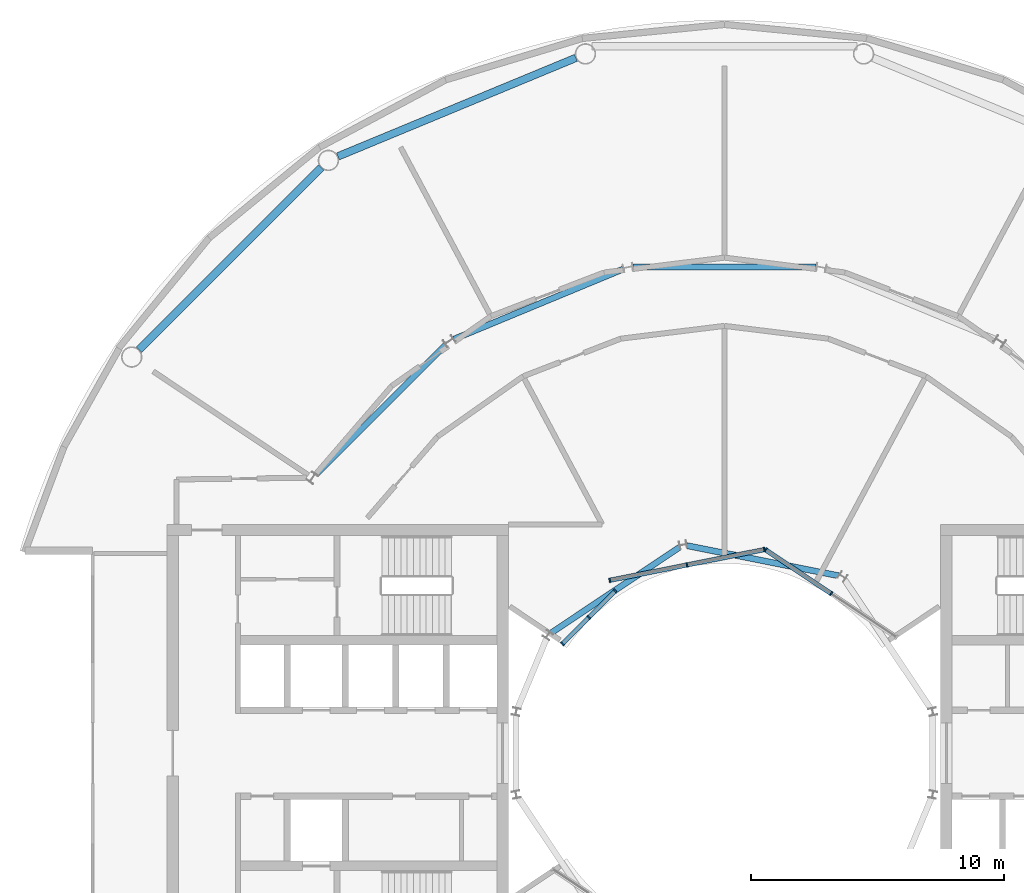
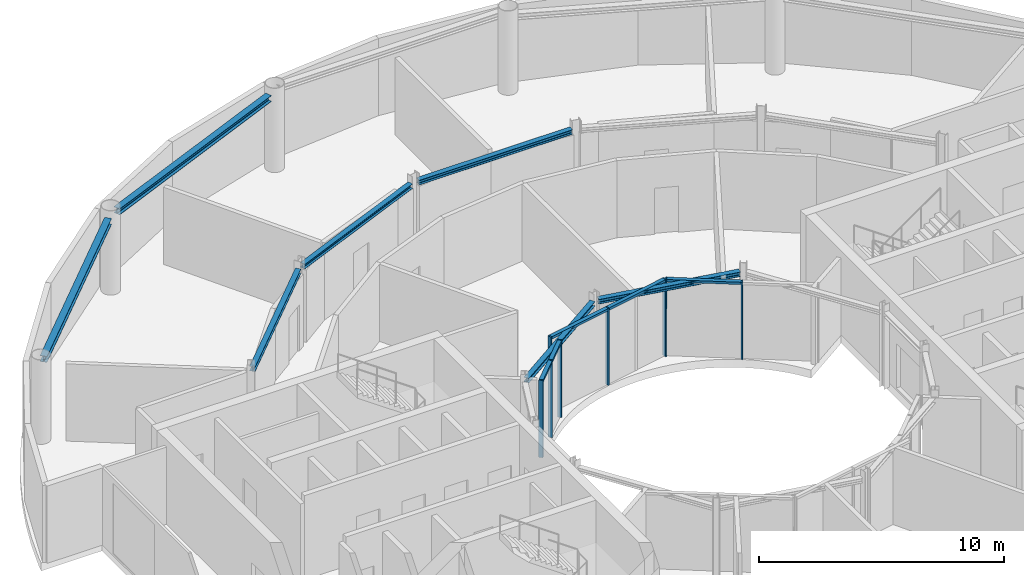
# One storey, part 9 of 19: 13 members, 7 beams, 3 elements without a shape of their own.
"""IFC4 building model written with IfcOpenShell, lengths in metres."""

from ifc_helpers import new_model, si_unit, direction, frame, origin, origin_2d, place, context, subcontext, project, spatial, rectangle, i_section, extrude, material, layer, layer_set, material_profile, profile_set, type_object, element, aggregate, save


model = new_model("IFC4")

# Units and contexts
model_context = context("Model", 3, precision=1e-05, world=origin(), true_north=direction((0.0, 1.0)))
body_context = subcontext(model_context, "Body", "Model", "MODEL_VIEW")
ifc_project = project(units=[si_unit("LENGTHUNIT", "METRE"), si_unit("AREAUNIT", "SQUARE_METRE"), si_unit("VOLUMEUNIT", "CUBIC_METRE"), si_unit("PLANEANGLEUNIT", "RADIAN"), si_unit("MASSUNIT", "GRAM", prefix="KILO")], contexts=[model_context])

# Site, building, storey
site_placement = place(None, origin())
site = spatial("IfcSite", under=ifc_project, at=site_placement, CompositionType="ELEMENT")
building_placement = place(site_placement, origin())
building = spatial("IfcBuilding", under=site, at=building_placement, Name="Maasbend Ring Residences", CompositionType="ELEMENT")
storey_placement = place(building_placement, frame((0.0, 0.0, 186.0)))
storey = spatial("IfcBuildingStorey", under=building, at=storey_placement, Name="L53", CompositionType="ELEMENT", Elevation=186.0)

# Curtain wall, members
ifc_material_1 = material(Name="Aluminium and clear glass", Category="aluminium")
ifc_layer = layer(ifc_material_1, 0.179931640625)
ifc_layer_set = layer_set([ifc_layer], Name="CW-W")
curtain_wall_type = type_object("IfcCurtainWallType", Name="CW-W", PredefinedType="NOTDEFINED", material=ifc_layer_set)
curtain_wall_1_placement = place(storey_placement, origin())
curtain_wall_1 = element("IfcCurtainWall", 1, at=curtain_wall_1_placement, inside=storey, type_object=curtain_wall_type, Name="Well curtain wall N1", PredefinedType="NOTDEFINED")
ifc_material_2 = material(Name="Aluminium 6063-T6", Category="aluminium")
ifc_material_profile_1 = material_profile(ifc_material_2, rectangle(XDim=0.179931640625, YDim=0.06005859375, at=origin_2d()), Name="AL 180x60")
ifc_profile_set_1 = profile_set([ifc_material_profile_1], Name="Aluminium 6063-T6")
member_type_1 = type_object("IfcMemberType", Name="CWM-W", PredefinedType="MULLION", material=ifc_profile_set_1)
member_1_placement = place(storey_placement, frame((4.216796875, 6.310791015625, 0.0), z_axis=(0.0, 0.0, 1.0), x_axis=(-0.55557023302, -0.831469612303, 0.0)))
member_1 = element("IfcMember", 2, at=member_1_placement, type_object=member_type_1, Name="Mullion well face", PredefinedType="MULLION", context=body_context, shape_type="SweptSolid", body=[
    extrude(rectangle(XDim=0.179931640625, YDim=0.06005859375, at=origin_2d()), origin(), (0.0, 0.0, 1.0), 3.85009765625),
])
member_2_placement = place(storey_placement, frame((1.627685546875, 8.040771484375, 0.0), z_axis=(0.0, 0.0, 1.0), x_axis=(-0.55557023302, -0.831469612303, 0.0)))
member_2 = element("IfcMember", 3, at=member_2_placement, type_object=member_type_1, Name="Mullion well face", PredefinedType="MULLION", context=body_context, shape_type="SweptSolid", body=[
    extrude(rectangle(XDim=0.179931640625, YDim=0.06005859375, at=origin_2d()), origin(), (0.0, 0.0, 1.0), 3.85009765625),
])

curtain_wall_2_placement = place(storey_placement, origin())
curtain_wall_2 = element("IfcCurtainWall", 4, at=curtain_wall_2_placement, inside=storey, type_object=curtain_wall_type, Name="Well curtain wall N2", PredefinedType="NOTDEFINED")
member_3_placement = place(storey_placement, frame((1.5732421875, 8.0517578125, 0.0), z_axis=(0.0, 0.0, 1.0), x_axis=(0.195090322016, -0.980785280403, 0.0)))
member_3 = element("IfcMember", 5, at=member_3_placement, type_object=member_type_1, Name="Mullion well face", PredefinedType="MULLION", context=body_context, shape_type="SweptSolid", body=[
    extrude(rectangle(XDim=0.179931640625, YDim=0.06005859375, at=origin_2d()), origin(), (0.0, 0.0, 1.0), 3.85009765625),
])
member_4_placement = place(storey_placement, frame((-1.480712890625, 7.444091796875, 0.0), z_axis=(0.0, 0.0, 1.0), x_axis=(0.195090322016, -0.980785280403, 0.0)))
member_4 = element("IfcMember", 6, at=member_4_placement, type_object=member_type_1, Name="Mullion well face", PredefinedType="MULLION", context=body_context, shape_type="SweptSolid", body=[
    extrude(rectangle(XDim=0.179931640625, YDim=0.06005859375, at=origin_2d()), origin(), (0.0, 0.0, 1.0), 3.85009765625),
])
member_5_placement = place(storey_placement, frame((-4.53466796875, 6.836669921875, 0.0), z_axis=(0.0, 0.0, 1.0), x_axis=(0.195090322016, -0.980785280403, 0.0)))
member_5 = element("IfcMember", 7, at=member_5_placement, type_object=member_type_1, Name="Mullion well face", PredefinedType="MULLION", context=body_context, shape_type="SweptSolid", body=[
    extrude(rectangle(XDim=0.179931640625, YDim=0.06005859375, at=origin_2d()), origin(), (0.0, 0.0, 1.0), 3.85009765625),
])

curtain_wall_3_placement = place(storey_placement, origin())
curtain_wall_3 = element("IfcCurtainWall", 8, at=curtain_wall_3_placement, inside=storey, type_object=curtain_wall_type, Name="Well curtain wall N3", PredefinedType="NOTDEFINED")
member_6_placement = place(storey_placement, frame((-4.320556640625, 6.413330078125, 0.0), z_axis=(0.0, 0.0, 1.0), x_axis=(0.707106781187, -0.707106781187, 0.0)))
member_6 = element("IfcMember", 9, at=member_6_placement, type_object=member_type_1, Name="Mullion well face", PredefinedType="MULLION", context=body_context, shape_type="SweptSolid", body=[
    extrude(rectangle(XDim=0.179931640625, YDim=0.06005859375, at=origin_2d()), origin(), (0.0, 0.0, 1.0), 3.85009765625),
])
member_7_placement = place(storey_placement, frame((-5.366943359375, 5.366943359375, 0.0), z_axis=(0.0, 0.0, 1.0), x_axis=(0.707106781187, -0.707106781187, 0.0)))
member_7 = element("IfcMember", 10, at=member_7_placement, type_object=member_type_1, Name="Mullion well face", PredefinedType="MULLION", context=body_context, shape_type="SweptSolid", body=[
    extrude(rectangle(XDim=0.179931640625, YDim=0.06005859375, at=origin_2d()), origin(), (0.0, 0.0, 1.0), 3.85009765625),
])
member_8_placement = place(storey_placement, frame((-6.413330078125, 4.320556640625, 0.0), z_axis=(0.0, 0.0, 1.0), x_axis=(0.707106781187, -0.707106781187, 0.0)))
member_8 = element("IfcMember", 11, at=member_8_placement, type_object=member_type_1, Name="Mullion well face", PredefinedType="MULLION", context=body_context, shape_type="SweptSolid", body=[
    extrude(rectangle(XDim=0.179931640625, YDim=0.06005859375, at=origin_2d()), origin(), (0.0, 0.0, 1.0), 3.85009765625),
])

# Member
ifc_material_3 = material(Name="Aluminium 6063-T6", Category="aluminium")
ifc_material_profile_2 = material_profile(ifc_material_3, rectangle(XDim=0.179931640625, YDim=0.1201171875, at=origin_2d()), Name="AL 180x120")
ifc_profile_set_2 = profile_set([ifc_material_profile_2], Name="Aluminium 6063-T6")
member_type_2 = type_object("IfcMemberType", Name="CWT-W", PredefinedType="USERDEFINED", material=ifc_profile_set_2)
member_9_placement = place(storey_placement, frame((4.19189453125, 6.32763671875, 3.7900390625), z_axis=(-0.831496422459, 0.555530106689, 0.0), x_axis=(-0.555530106689, -0.831496422459, 0.0)))
member_9 = element("IfcMember", 12, at=member_9_placement, type_object=member_type_2, Name="Transom well face", ObjectType="TRANSOM", PredefinedType="USERDEFINED", context=body_context, shape_type="SweptSolid", body=[
    extrude(rectangle(XDim=0.179931640625, YDim=0.1201171875, at=origin_2d()), origin(), (0.0, 0.0, 1.0), 3.053955078125),
])

aggregate(curtain_wall_1, [member_1, member_2, member_9])

member_10_placement = place(storey_placement, frame((1.5439453125, 8.0458984375, 3.7900390625), z_axis=(-0.980776956105, -0.195132166424, 0.0), x_axis=(0.195132166424, -0.980776956105, 0.0)))
member_10 = element("IfcMember", 13, at=member_10_placement, type_object=member_type_2, Name="Transom well face", ObjectType="TRANSOM", PredefinedType="USERDEFINED", context=body_context, shape_type="SweptSolid", body=[
    extrude(rectangle(XDim=0.179931640625, YDim=0.1201171875, at=origin_2d()), origin(), (0.0, 0.0, 1.0), 3.053955078125),
])

member_11_placement = place(storey_placement, frame((-1.51025390625, 7.438232421875, 3.7900390625), z_axis=(-0.980789210404, -0.19507056353, 0.0), x_axis=(0.19507056353, -0.980789210404, 0.0)))
member_11 = element("IfcMember", 14, at=member_11_placement, type_object=member_type_2, Name="Transom well face", ObjectType="TRANSOM", PredefinedType="USERDEFINED", context=body_context, shape_type="SweptSolid", body=[
    extrude(rectangle(XDim=0.179931640625, YDim=0.1201171875, at=origin_2d()), origin(), (0.0, 0.0, 1.0), 3.0537109375),
])

aggregate(curtain_wall_2, [member_3, member_4, member_5, member_10, member_11])

member_12_placement = place(storey_placement, frame((-4.341796875, 6.39208984375, 3.7900390625), z_axis=(-0.707106781187, -0.707106781187, 0.0), x_axis=(0.707106781187, -0.707106781187, 0.0)))
member_12 = element("IfcMember", 15, at=member_12_placement, type_object=member_type_2, Name="Transom well face", ObjectType="TRANSOM", PredefinedType="USERDEFINED", context=body_context, shape_type="SweptSolid", body=[
    extrude(rectangle(XDim=0.179931640625, YDim=0.1201171875, at=origin_2d()), origin(), (0.0, 0.0, 1.0), 1.419677734375),
])

member_13_placement = place(storey_placement, frame((-5.38818359375, 5.345703125, 3.7900390625), z_axis=(-0.707106781187, -0.707106781187, 0.0), x_axis=(0.707106781187, -0.707106781187, 0.0)))
member_13 = element("IfcMember", 16, at=member_13_placement, type_object=member_type_2, Name="Transom well face", ObjectType="TRANSOM", PredefinedType="USERDEFINED", context=body_context, shape_type="SweptSolid", body=[
    extrude(rectangle(XDim=0.179931640625, YDim=0.1201171875, at=origin_2d()), origin(), (0.0, 0.0, 1.0), 1.419677734375),
])

aggregate(curtain_wall_3, [member_6, member_7, member_8, member_12, member_13])

# Beams
ifc_material_4 = material(Name="Steel S355J2", Category="steel")
ifc_material_profile_3 = material_profile(ifc_material_4, i_section(OverallWidth=0.239990234375, OverallDepth=0.22998046875, WebThickness=0.007568359375, FlangeThickness=0.011962890625, FilletRadius=0.02099609375, at=origin_2d()), Name="HEA 240")
ifc_profile_set_3 = profile_set([ifc_material_profile_3], Name="Steel S355J2")
beam_type_1 = type_object("IfcBeamType", Name="Corridor ring beam HEA 240", PredefinedType="BEAM", material=ifc_profile_set_3)
for number, where, z_axis, x_axis, name in (
    (17, (3.619873046875, 19.223388671875, 3.735107421875), (-1.0, 0.0, 0.0), (0.0, -1.0, 0.0), "Corridor ring beam"),
    (18, (-4.01220703125, 19.1455078125, 3.735107421875), (-0.923865162022, -0.382718123952, 0.0), (0.382718123952, -0.923865162022, 0.0), "Corridor ring beam"),
):
    element("IfcBeam", number, at=place(storey_placement, frame(where, z_axis=z_axis, x_axis=x_axis)), inside=storey, type_object=beam_type_1, Name=name, PredefinedType="BEAM", context=body_context, shape_type="SweptSolid", body=[
        extrude(i_section(OverallWidth=0.239990234375, OverallDepth=0.22998046875, WebThickness=0.007568359375, FlangeThickness=0.011962890625, FilletRadius=0.02099609375, at=origin_2d()), origin(), (0.0, 0.0, 1.0), 7.23974609375),
    ])
beam_placement = place(storey_placement, frame((-11.033447265625, 16.152587890625, 3.735107421875), z_axis=(-0.707106781187, -0.707106781187, 0.0), x_axis=(0.707106781187, -0.707106781187, 0.0)))
element("IfcBeam", 19, at=beam_placement, inside=storey, type_object=beam_type_1, Name="Corridor ring beam", PredefinedType="BEAM", context=body_context, shape_type="SweptSolid", body=[
    extrude(i_section(OverallWidth=0.239990234375, OverallDepth=0.22998046875, WebThickness=0.007568359375, FlangeThickness=0.011962890625, FilletRadius=0.02099609375, at=origin_2d()), origin(), (0.0, 0.0, 1.0), 7.239501953125),
])
ifc_material_5 = material(Name="Steel S355J2", Category="steel")
ifc_material_profile_4 = material_profile(ifc_material_5, i_section(OverallWidth=0.300048828125, OverallDepth=0.300048828125, WebThickness=0.010986328125, FlangeThickness=0.01904296875, FilletRadius=0.027099609375, at=origin_2d()), Name="HEB 300")
ifc_profile_set_4 = profile_set([ifc_material_profile_4], Name="Steel S355J2")
beam_type_2 = type_object("IfcBeamType", Name="Spandrel ring beam HEB 300", PredefinedType="SPANDREL", material=ifc_profile_set_4)
for number, where, z_axis, x_axis, name in (
    (20, (-5.877197265625, 27.50244140625, 3.699951171875), (-0.923883676188, -0.382673428492, 0.0), (0.382673428492, -0.923883676188, 0.0), "Spandrel ring beam"),
    (21, (-15.95458984375, 23.159912109375, 3.699951171875), (-0.707106781187, -0.707106781187, 0.0), (0.707106781187, -0.707106781187, 0.0), "Spandrel ring beam"),
):
    element("IfcBeam", number, at=place(storey_placement, frame(where, z_axis=z_axis, x_axis=x_axis)), inside=storey, type_object=beam_type_2, Name=name, PredefinedType="SPANDREL", context=body_context, shape_type="SweptSolid", body=[
        extrude(i_section(OverallWidth=0.300048828125, OverallDepth=0.300048828125, WebThickness=0.010986328125, FlangeThickness=0.01904296875, FilletRadius=0.027099609375, at=origin_2d()), origin(), (0.0, 0.0, 1.0), 10.18994140625),
    ])
ifc_material_6 = material(Name="Steel S355J2", Category="steel")
ifc_material_profile_5 = material_profile(ifc_material_6, i_section(OverallWidth=0.239990234375, OverallDepth=0.22998046875, WebThickness=0.007568359375, FlangeThickness=0.011962890625, FilletRadius=0.02099609375, at=origin_2d()), Name="HEA 240")
ifc_profile_set_5 = profile_set([ifc_material_profile_5], Name="Steel S355J2")
beam_type_3 = type_object("IfcBeamType", Name="Well edge beam HEA 240", PredefinedType="BEAM", material=ifc_profile_set_5)
for number, where, z_axis, x_axis, name in (
    (22, (4.512939453125, 7.014892578125, 3.735107421875), (-0.980782836869, 0.195102606089, 0.0), (-0.195102606089, -0.980782836869, 0.0), "Well edge beam"),
    (23, (-1.769287109375, 8.1513671875, 3.735107421875), (-0.831460175376, -0.555584356119, 0.0), (0.555584356119, -0.831460175376, 0.0), "Well edge beam"),
):
    element("IfcBeam", number, at=place(storey_placement, frame(where, z_axis=z_axis, x_axis=x_axis)), inside=storey, type_object=beam_type_3, Name=name, PredefinedType="BEAM", context=body_context, shape_type="SweptSolid", body=[
        extrude(i_section(OverallWidth=0.239990234375, OverallDepth=0.22998046875, WebThickness=0.007568359375, FlangeThickness=0.011962890625, FilletRadius=0.02099609375, at=origin_2d()), origin(), (0.0, 0.0, 1.0), 6.115234375),
    ])

save(model, "model.ifc")
